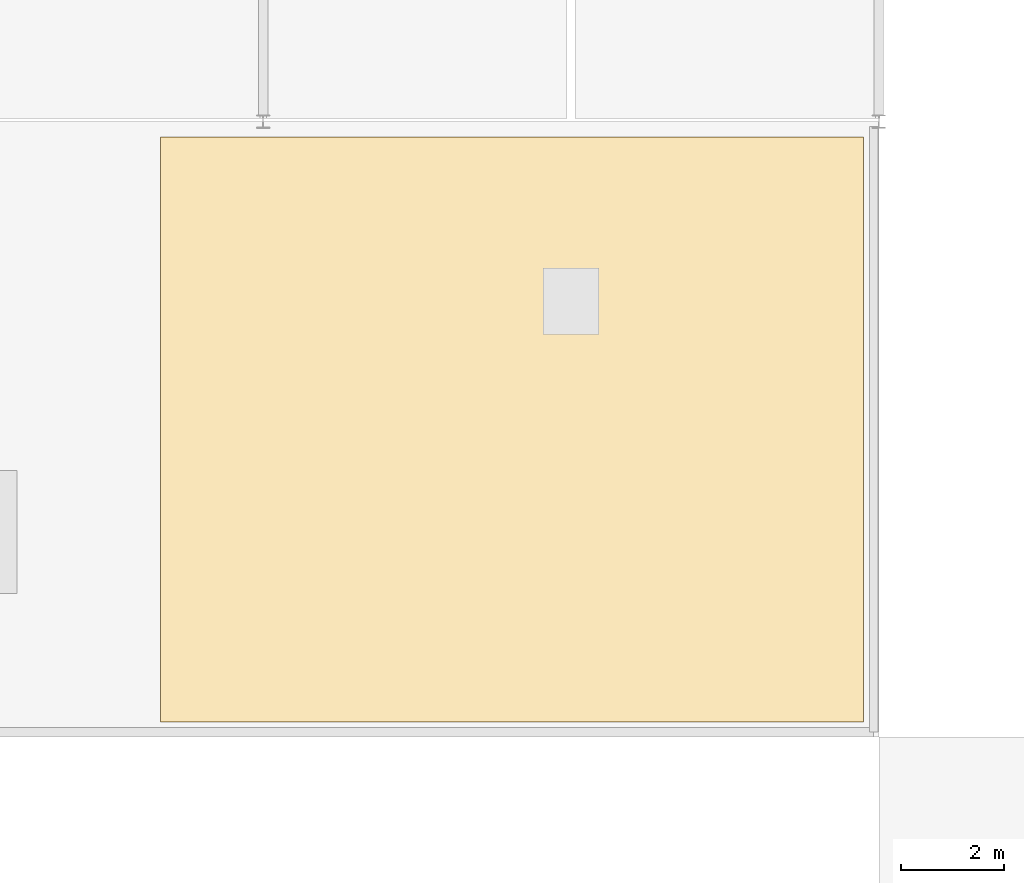
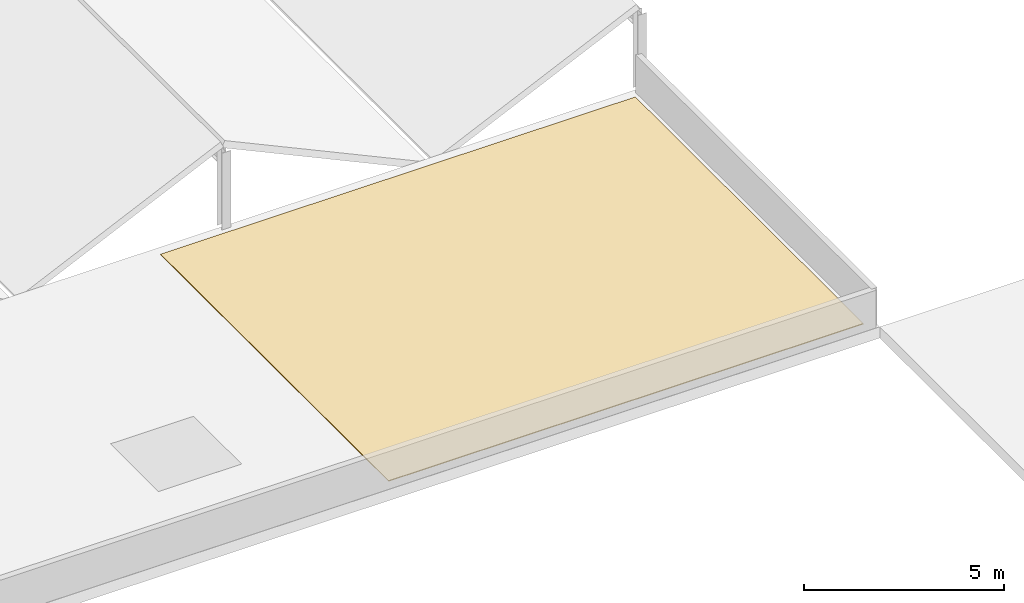
# One storey, part 83 of 83: 1 covering.
"""IFC4 building model written with IfcOpenShell, lengths in metres."""

import ifcopenshell
import ifcopenshell.guid

model = None  # the IFC model being written
_history = None  # IfcOwnerHistory: only IFC2X3 demands one
_inside = {}  # id of a spatial element -> (the spatial element, [elements in it])
_under = {}  # id of a project, library or spatial element -> (it, [spatial elements below it])
_declared = {}  # id of a project -> (the project, [libraries it declares])
_typed = {}  # id of a type object -> (the type object, [elements of that type])
_made_of = {}  # id of a material, layer set ... -> (it, [elements and type objects made of it])


def new_model(schema):
    """Start an empty IFC model of exactly this schema.

    Asked for "IFC4X3", IfcOpenShell would pick the latest addendum, in which some entities
    have other attributes; the version numbers below select the first issue.
    IFC2X3 requires an IfcOwnerHistory on every rooted entity: one is made here for all.
    """
    global model, _history
    if schema == "IFC4X3":
        model = ifcopenshell.file(schema_version=(4, 3, 0, 0))
    else:
        model = ifcopenshell.file(schema=schema)
    _inside.clear()
    _under.clear()
    _declared.clear()
    _typed.clear()
    _made_of.clear()
    _history = None
    if model.schema == "IFC2X3":
        org = make("IfcOrganization", Name="unknown")
        user = make(
            "IfcPersonAndOrganization",
            ThePerson=make("IfcPerson", FamilyName="unknown"),
            TheOrganization=org,
        )
        app = make(
            "IfcApplication",
            ApplicationDeveloper=org,
            Version="unknown",
            ApplicationFullName="unknown",
            ApplicationIdentifier="unknown",
        )
        _history = make(
            "IfcOwnerHistory",
            OwningUser=user,
            OwningApplication=app,
            ChangeAction="ADDED",
            CreationDate=0,
        )
    return model


def make(cls, **values):
    """One entity of the class cls with the attributes given. An attribute that is None is left unset."""
    return model.create_entity(
        cls, **{name: value for name, value in values.items() if value is not None}
    )


def rooted(cls, **values):
    """An entity with a GlobalId (a new one), such as an element, a storey or a relation."""
    return make(cls, GlobalId=ifcopenshell.guid.new(), OwnerHistory=_history, **values)


def si_unit(unit_type, name, prefix=None):
    """IfcSIUnit, for example si_unit("LENGTHUNIT", "METRE", prefix="MILLI")."""
    return make("IfcSIUnit", UnitType=unit_type, Prefix=prefix, Name=name)


def assignment(units):
    """IfcUnitAssignment: the units of a project."""
    return None if units is None else make("IfcUnitAssignment", Units=units)


def point(xyz):
    """IfcCartesianPoint."""
    return None if xyz is None else make("IfcCartesianPoint", Coordinates=xyz)


def direction(xyz):
    """IfcDirection."""
    return None if xyz is None else make("IfcDirection", DirectionRatios=xyz)


def frame(location, z_axis=None, x_axis=None):
    """IfcAxis2Placement3D, a coordinate frame: its origin and axes. An axis left out is left unset."""
    return make(
        "IfcAxis2Placement3D",
        Location=point(location),
        Axis=direction(z_axis),
        RefDirection=direction(x_axis),
    )


def origin():
    """The frame at (0, 0, 0) with its axes left unset."""
    return frame((0.0, 0.0, 0.0))


def place(relative_to, where):
    """IfcLocalPlacement: puts the frame where relative to a parent placement (None: the world)."""
    return make(
        "IfcLocalPlacement", PlacementRelTo=relative_to, RelativePlacement=where
    )


def context(
    kind, dimensions, precision=None, world=None, true_north=None, identifier=None
):
    """IfcGeometricRepresentationContext, for example the 3D "Model" context."""
    return make(
        "IfcGeometricRepresentationContext",
        ContextIdentifier=identifier,
        ContextType=kind,
        CoordinateSpaceDimension=dimensions,
        Precision=precision,
        WorldCoordinateSystem=world,
        TrueNorth=true_north,
    )


def subcontext(parent, identifier, kind, view, scale=None):
    """IfcGeometricRepresentationSubContext, for example "Body" below "Model"."""
    return make(
        "IfcGeometricRepresentationSubContext",
        ContextIdentifier=identifier,
        ContextType=kind,
        ParentContext=parent,
        TargetScale=scale,
        TargetView=view,
    )


def project(units=None, contexts=None):
    """IfcProject with its units and contexts."""
    return rooted(
        "IfcProject",
        Name="project",
        RepresentationContexts=contexts,
        UnitsInContext=assignment(units),
    )


def spatial(cls, under=None, at=None, **own):
    """A site, building, storey or space (cls), placed at a placement, below another one or the project."""
    s = rooted(cls, ObjectPlacement=at, **own)
    if under is not None:
        _under.setdefault(under.id(), (under, []))[1].append(s)
    return s


def polyline(points):
    """IfcPolyline through the points."""
    return make("IfcPolyline", Points=[point(p) for p in points])


def outline(outer, holes=None, kind="AREA"):
    """IfcArbitraryClosedProfileDef: a profile drawn as a closed curve; with holes, ...WithVoids."""
    if holes is None:
        return make("IfcArbitraryClosedProfileDef", ProfileType=kind, OuterCurve=outer)
    return make(
        "IfcArbitraryProfileDefWithVoids",
        ProfileType=kind,
        OuterCurve=outer,
        InnerCurves=holes,
    )


def extrude(swept, where, along, depth):
    """IfcExtrudedAreaSolid: the profile swept, set in the frame where, extruded along a direction by depth."""
    return make(
        "IfcExtrudedAreaSolid",
        SweptArea=swept,
        Position=where,
        ExtrudedDirection=direction(along),
        Depth=depth,
    )


def shape(context_of_items, identifier, shape_type, items):
    """IfcShapeRepresentation: the items that make up one representation, for example the "Body"."""
    return make(
        "IfcShapeRepresentation",
        ContextOfItems=context_of_items,
        RepresentationIdentifier=identifier,
        RepresentationType=shape_type,
        Items=items,
    )


def material(Name=None, Category=None):
    """IfcMaterial."""
    return make("IfcMaterial", Name=Name, Category=Category)


def layer(
    of_material, thickness, ventilated=None, Name=None, Category=None, Priority=None
):
    """IfcMaterialLayer: one layer of a wall or slab, of a material (None: an air gap)."""
    return make(
        "IfcMaterialLayer",
        Material=of_material,
        LayerThickness=thickness,
        IsVentilated=ventilated,
        Name=Name,
        Category=Category,
        Priority=Priority,
    )


def layer_set(layers, Name=None):
    """IfcMaterialLayerSet."""
    return make("IfcMaterialLayerSet", MaterialLayers=layers, LayerSetName=Name)


def made_of(thing, what):
    """Note that an element or type object is made of a material, layer set ...; save() writes the relation."""
    if what is not None:
        _made_of.setdefault(what.id(), (what, []))[1].append(thing)
    return thing


def type_object(cls, material=None, **own):
    """A type object (cls), such as IfcWallType, which elements share."""
    return made_of(rooted(cls, **own), material)


def element(
    cls,
    number,
    at=None,
    inside=None,
    cuts=None,
    type_object=None,
    material=None,
    context=None,
    identifier="Body",
    shape_type=None,
    held_by="IfcProductDefinitionShape",
    body=None,
    shapes=None,
    **own,
):
    """One element of the class cls, such as IfcWall. Its Tag is "e" and its number.

    at: its placement. inside: the storey or other place that contains it. cuts: it is an
    opening in that element (IfcRelVoidsElement). A single representation is given by context,
    identifier, shape_type and body (its items); several are given by shapes. held_by: the class
    of the entity that holds the representations. save() writes the other relations.
    """
    e = rooted(cls, Tag="e%d" % number, ObjectPlacement=at, **own)
    if body is not None:
        shapes = [shape(context, identifier, shape_type, body)]
    if shapes is not None:
        e.Representation = make(held_by, Representations=shapes)
    if inside is not None:
        _inside.setdefault(inside.id(), (inside, []))[1].append(e)
    if cuts is not None:
        rooted(
            "IfcRelVoidsElement", RelatingBuildingElement=cuts, RelatedOpeningElement=e
        )
    if type_object is not None:
        _typed.setdefault(type_object.id(), (type_object, []))[1].append(e)
    return made_of(e, material)


def aggregate(whole, parts):
    """IfcRelAggregates: a whole, such as a stair, and the parts it consists of."""
    return rooted("IfcRelAggregates", RelatingObject=whole, RelatedObjects=parts)


def save(model, path):
    """Write the relations noted so far, then the file.

    IfcRelAggregates (storeys below a building ...), IfcRelContainedInSpatialStructure (elements
    in a storey), IfcRelDefinesByType, IfcRelAssociatesMaterial and IfcRelDeclares: one each for
    every whole, place, type object, material and project.
    """
    for whole, parts in _under.values():
        aggregate(whole, parts)
    for where, things in _inside.values():
        rooted(
            "IfcRelContainedInSpatialStructure",
            RelatedElements=things,
            RelatingStructure=where,
        )
    for kind, things in _typed.values():
        rooted("IfcRelDefinesByType", RelatedObjects=things, RelatingType=kind)
    for what, things in _made_of.values():
        rooted("IfcRelAssociatesMaterial", RelatedObjects=things, RelatingMaterial=what)
    for by, libraries in _declared.values():
        rooted("IfcRelDeclares", RelatingContext=by, RelatedDefinitions=libraries)
    model.write(path)


model = new_model("IFC4")

# Units and contexts
model_context = context("Model", 3, precision=1e-05, world=origin(), true_north=direction((0.0, 1.0)))
body_context = subcontext(model_context, "Body", "Model", "MODEL_VIEW")
ifc_project = project(units=[si_unit("LENGTHUNIT", "METRE"), si_unit("AREAUNIT", "SQUARE_METRE"), si_unit("VOLUMEUNIT", "CUBIC_METRE"), si_unit("PLANEANGLEUNIT", "RADIAN"), si_unit("MASSUNIT", "GRAM", prefix="KILO")], contexts=[model_context])

# Site, building, storey
site_placement = place(None, origin())
site = spatial("IfcSite", under=ifc_project, at=site_placement, CompositionType="ELEMENT")
building_placement = place(site_placement, origin())
building = spatial("IfcBuilding", under=site, at=building_placement, Name="Pandanus Reach Market Hall", CompositionType="ELEMENT")
storey_placement = place(building_placement, frame((0.0, 0.0, 10.199951171875)))
storey = spatial("IfcBuildingStorey", under=building, at=storey_placement, Name="L02", CompositionType="ELEMENT", Elevation=10.199951171875)

# Covering
ifc_material = material(Name="Reflective EPDM waterproof roofing membrane")
ifc_layer = layer(ifc_material, 0.02490234375, Name="RFG-MEM-25")
ifc_layer_set = layer_set([ifc_layer], Name="Reflective EPDM waterproof roofing membrane")
covering_type = type_object("IfcCoveringType", Name="RFG-MEM-25", PredefinedType="ROOFING", material=ifc_layer_set)
covering_placement = place(storey_placement, origin())
element("IfcCovering", 1, at=covering_placement, inside=storey, type_object=covering_type, Name="Roof membrane covering L02.4", PredefinedType="ROOFING", context=body_context, shape_type="SweptSolid", body=[
    extrude(outline(polyline([(130.0, 96.300048828125), (143.699951171875, 96.300048828125), (143.699951171875, 107.699951171875), (130.0, 107.699951171875), (130.0, 96.300048828125)])), origin(), (0.0, 0.0, 1.0), 0.025146484375),
])

save(model, "model.ifc")
